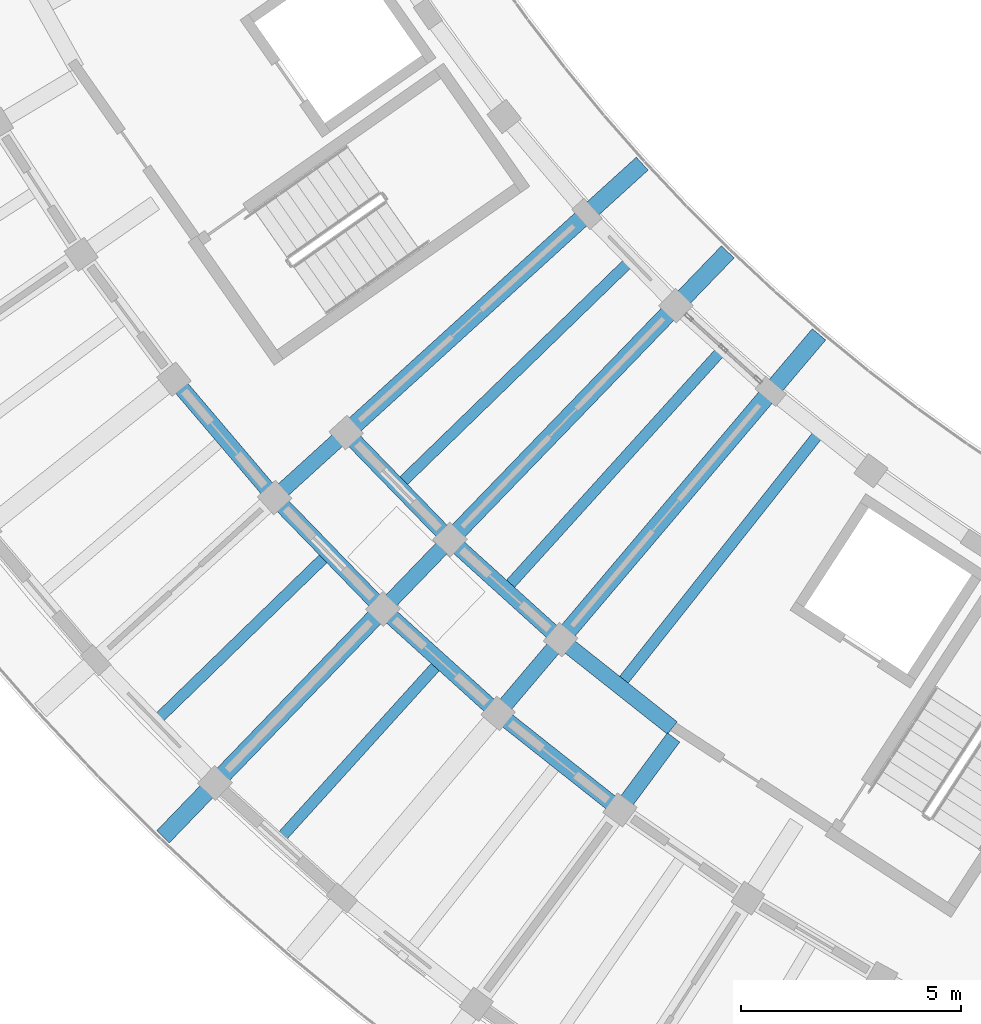
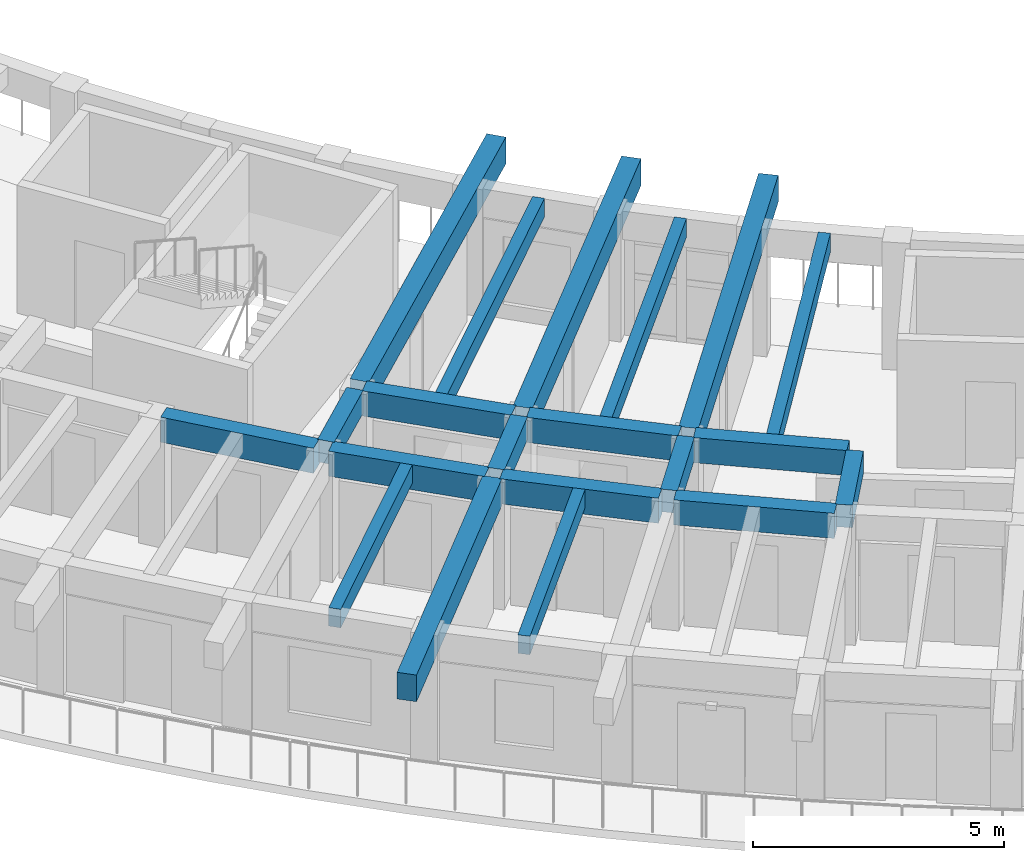
# One storey, part 6 of 96: 20 beams.
"""IFC4 building model written with IfcOpenShell, lengths in metres."""

from ifc_helpers import new_model, si_unit, direction, frame, origin, origin_2d, place, context, subcontext, project, spatial, rectangle, extrude, material, material_profile, profile_set, type_object, element, save


model = new_model("IFC4")

# Units and contexts
model_context = context("Model", 3, precision=1e-05, world=origin(), true_north=direction((0.0, 1.0)))
body_context = subcontext(model_context, "Body", "Model", "MODEL_VIEW")
ifc_project = project(units=[si_unit("LENGTHUNIT", "METRE"), si_unit("AREAUNIT", "SQUARE_METRE"), si_unit("VOLUMEUNIT", "CUBIC_METRE"), si_unit("PLANEANGLEUNIT", "RADIAN"), si_unit("MASSUNIT", "GRAM", prefix="KILO")], contexts=[model_context])

# Site, building, storey
site_placement = place(None, origin())
site = spatial("IfcSite", under=ifc_project, at=site_placement, CompositionType="ELEMENT")
building_placement = place(site_placement, origin())
building = spatial("IfcBuilding", under=site, at=building_placement, Name="Tanwirah Colonnade Gardens", CompositionType="ELEMENT")
storey_placement = place(building_placement, frame((0.0, 0.0, 12.199951171875)))
storey = spatial("IfcBuildingStorey", under=building, at=storey_placement, Name="L03", CompositionType="ELEMENT", Elevation=12.199951171875)

# Beams
ifc_material_1 = material(Name="Precast concrete C40/50", Category="concrete")
ifc_material_profile_1 = material_profile(ifc_material_1, rectangle(XDim=0.360107421875, YDim=0.610107421875, at=origin_2d()), Name="PC-BM 360x610")
ifc_profile_set_1 = profile_set([ifc_material_profile_1], Name="Precast concrete C40/50")
beam_type_1 = type_object("IfcBeamType", Name="BM-PC300", PredefinedType="BEAM", material=ifc_profile_set_1)
beam_1_placement = place(storey_placement, frame((22.797119140625, 30.73876953125, 2.800048828125), z_axis=(0.6478235549, -0.761790418499, 0.0), x_axis=(0.761790418499, 0.6478235549, 0.0)))
element("IfcBeam", 1, at=beam_1_placement, inside=storey, type_object=beam_type_1, Name="Block C L03 Circumferential Beam 6-R2", PredefinedType="BEAM", context=body_context, shape_type="SweptSolid", body=[
    extrude(rectangle(XDim=0.360107421875, YDim=0.610107421875, at=origin_2d()), origin(), (0.0, 0.0, 1.0), 3.23681640625),
])
beam_2_placement = place(storey_placement, frame((26.72412109375, 29.530029296875, 2.800048828125), z_axis=(0.696209937932, -0.71783822852, 0.0), x_axis=(0.71783822852, 0.696209937932, 0.0)))
element("IfcBeam", 2, at=beam_2_placement, inside=storey, type_object=beam_type_1, Name="Block C L03 Circumferential Beam 7-R1", PredefinedType="BEAM", context=body_context, shape_type="SweptSolid", body=[
    extrude(rectangle(XDim=0.360107421875, YDim=0.610107421875, at=origin_2d()), origin(), (0.0, 0.0, 1.0), 3.093017578125),
])
beam_3_placement = place(storey_placement, frame((25.095703125, 28.05078125, 2.800048828125), z_axis=(0.696238887656, -0.717810149911, 0.0), x_axis=(0.717810149911, 0.696238887656, 0.0)))
element("IfcBeam", 3, at=beam_3_placement, inside=storey, type_object=beam_type_1, Name="Block C L03 Circumferential Beam 7-R2", PredefinedType="BEAM", context=body_context, shape_type="SweptSolid", body=[
    extrude(rectangle(XDim=0.360107421875, YDim=0.610107421875, at=origin_2d()), origin(), (0.0, 0.0, 1.0), 3.23681640625),
])
beam_4_placement = place(storey_placement, frame((29.09326171875, 27.1015625, 2.800048828125), z_axis=(0.741698455559, -0.670733479873, 0.0), x_axis=(0.670733479873, 0.741698455559, 0.0)))
element("IfcBeam", 4, at=beam_4_placement, inside=storey, type_object=beam_type_1, Name="Block C L03 Circumferential Beam 8-R1", PredefinedType="BEAM", context=body_context, shape_type="SweptSolid", body=[
    extrude(rectangle(XDim=0.360107421875, YDim=0.610107421875, at=origin_2d()), origin(), (0.0, 0.0, 1.0), 3.0927734375),
])
beam_5_placement = place(storey_placement, frame((27.56494140625, 25.51904296875, 2.800048828125), z_axis=(0.741701929733, -0.670729638104, 0.0), x_axis=(0.670729638104, 0.741701929733, 0.0)))
element("IfcBeam", 5, at=beam_5_placement, inside=storey, type_object=beam_type_1, Name="Block C L03 Circumferential Beam 8-R2", PredefinedType="BEAM", context=body_context, shape_type="SweptSolid", body=[
    extrude(rectangle(XDim=0.360107421875, YDim=0.610107421875, at=origin_2d()), origin(), (0.0, 0.0, 1.0), 3.237060546875),
])
beam_6_placement = place(storey_placement, frame((31.615966796875, 24.833251953125, 2.800048828125), z_axis=(0.783962588163, -0.62080807047, 0.0), x_axis=(0.62080807047, 0.783962588163, 0.0)))
element("IfcBeam", 6, at=beam_6_placement, inside=storey, type_object=beam_type_1, Name="Block C L03 Circumferential Beam 9-R1", PredefinedType="BEAM", context=body_context, shape_type="SweptSolid", body=[
    extrude(rectangle(XDim=0.360107421875, YDim=0.610107421875, at=origin_2d()), origin(), (0.0, 0.0, 1.0), 3.093017578125),
])
beam_7_placement = place(storey_placement, frame((30.194580078125, 23.154052734375, 2.800048828125), z_axis=(0.783993819374, -0.620768629349, 0.0), x_axis=(0.620768629349, 0.783993819374, 0.0)))
element("IfcBeam", 7, at=beam_7_placement, inside=storey, type_object=beam_type_1, Name="Block C L03 Circumferential Beam 9-R2", PredefinedType="BEAM", context=body_context, shape_type="SweptSolid", body=[
    extrude(rectangle(XDim=0.360107421875, YDim=0.610107421875, at=origin_2d()), origin(), (0.0, 0.0, 1.0), 3.23681640625),
])
ifc_material_profile_2 = material_profile(ifc_material_1, rectangle(XDim=0.35009765625, YDim=0.550048828125, at=origin_2d()), Name="PC-BM 350x550")
ifc_profile_set_2 = profile_set([ifc_material_profile_2], Name="Precast concrete C40/50")
beam_type_2 = type_object("IfcBeamType", Name="BM-PC350A", PredefinedType="BEAM", material=ifc_profile_set_2)
beam_8_placement = place(storey_placement, frame((26.508544921875, 29.536865234375, 2.830078125), z_axis=(-0.740219127015, -0.672365707038, 0.0), x_axis=(0.672365707038, -0.740219127015, 0.0)))
element("IfcBeam", 8, at=beam_8_placement, inside=storey, type_object=beam_type_2, Name="Block C L03 Corridor Tie Beam 7", PredefinedType="BEAM", context=body_context, shape_type="SweptSolid", body=[
    extrude(rectangle(XDim=0.35009765625, YDim=0.550048828125, at=origin_2d()), origin(), (0.0, 0.0, 1.0), 1.899658203125),
])
beam_9_placement = place(storey_placement, frame((28.877685546875, 27.09423828125, 2.830078125), z_axis=(-0.694663306685, -0.719335033448, 0.0), x_axis=(0.719335033448, -0.694663306685, 0.0)))
element("IfcBeam", 9, at=beam_9_placement, inside=storey, type_object=beam_type_2, Name="Block C L03 Corridor Tie Beam 8", PredefinedType="BEAM", context=body_context, shape_type="SweptSolid", body=[
    extrude(rectangle(XDim=0.35009765625, YDim=0.550048828125, at=origin_2d()), origin(), (0.0, 0.0, 1.0), 1.89990234375),
])
for number, where, z_axis, x_axis, name in (
    (10, (31.401611328125, 24.81201171875, 2.830078125), (-0.646155325581, -0.763205932382, 0.0), (0.763205932382, -0.646155325581, 0.0), "Block C L03 Corridor Tie Beam 9"),
    (11, (34.0693359375, 22.699462890625, 2.830078125), (-0.594889497099, -0.803807493273, 0.0), (0.803807493273, -0.594889497099, 0.0), "Block C L03 Corridor Tie Beam 10"),
):
    element("IfcBeam", number, at=place(storey_placement, frame(where, z_axis=z_axis, x_axis=x_axis)), inside=storey, type_object=beam_type_2, Name=name, PredefinedType="BEAM", context=body_context, shape_type="SweptSolid", body=[
        extrude(rectangle(XDim=0.35009765625, YDim=0.550048828125, at=origin_2d()), origin(), (0.0, 0.0, 1.0), 1.900146484375),
    ])
ifc_material_2 = material(Name="Precast concrete C45/55", Category="concrete")
ifc_material_profile_3 = material_profile(ifc_material_2, rectangle(XDim=0.39990234375, YDim=0.64990234375, at=origin_2d()), Name="PC-BM 400x650")
ifc_profile_set_3 = profile_set([ifc_material_profile_3], Name="Precast concrete C45/55")
beam_type_3 = type_object("IfcBeamType", Name="BM-PC400", PredefinedType="BEAM", material=ifc_profile_set_3)
for number, where, z_axis, x_axis, name in (
    (12, (26.730712890625, 29.738525390625, 2.780029296875), (0.740212791446, 0.672372681911, 0.0), (-0.672372681911, 0.740212791446, 0.0), "Block C L03 Inner Radial Precast Girder 7"),
    (13, (29.086181640625, 27.31005859375, 2.780029296875), (0.694655848402, 0.719342235852, 0.0), (-0.719342235852, 0.694655848402, 0.0), "Block C L03 Inner Radial Precast Girder 8"),
):
    element("IfcBeam", number, at=place(storey_placement, frame(where, z_axis=z_axis, x_axis=x_axis)), inside=storey, type_object=beam_type_3, Name=name, PredefinedType="BEAM", context=body_context, shape_type="SweptSolid", body=[
        extrude(rectangle(XDim=0.39990234375, YDim=0.64990234375, at=origin_2d()), origin(), (0.0, 0.0, 1.0), 8.9501953125),
    ])
beam_10_placement = place(storey_placement, frame((27.349609375, 25.51171875, 2.780029296875), z_axis=(-0.69467114255, -0.719327466254, 0.0), x_axis=(0.719327466254, -0.69467114255, 0.0)))
element("IfcBeam", 14, at=beam_10_placement, inside=storey, type_object=beam_type_3, Name="Block C L03 Outer Radial Precast Girder 8", PredefinedType="BEAM", context=body_context, shape_type="SweptSolid", body=[
    extrude(rectangle(XDim=0.39990234375, YDim=0.64990234375, at=origin_2d()), origin(), (0.0, 0.0, 1.0), 7.050048828125),
])
beam_11_placement = place(storey_placement, frame((31.595458984375, 25.040771484375, 2.780029296875), z_axis=(0.64611097415, 0.763243479554, 0.0), x_axis=(-0.763243479554, 0.64611097415, 0.0)))
element("IfcBeam", 15, at=beam_11_placement, inside=storey, type_object=beam_type_3, Name="Block C L03 Inner Radial Precast Girder 9", PredefinedType="BEAM", context=body_context, shape_type="SweptSolid", body=[
    extrude(rectangle(XDim=0.39990234375, YDim=0.64990234375, at=origin_2d()), origin(), (0.0, 0.0, 1.0), 8.949951171875),
])
ifc_material_profile_4 = material_profile(ifc_material_1, rectangle(XDim=0.25, YDim=0.449951171875, at=origin_2d()), Name="PC-JST 250x450")
ifc_profile_set_4 = profile_set([ifc_material_profile_4], Name="Precast concrete C40/50")
beam_type_4 = type_object("IfcBeamType", Name="JST-PC250", PredefinedType="JOIST", material=ifc_profile_set_4)
beam_12_placement = place(storey_placement, frame((26.115478515625, 26.785400390625, 2.880126953125), z_axis=(-0.717816036263, -0.696232818878, 0.0), x_axis=(0.696232818878, -0.717816036263, 0.0)))
element("IfcBeam", 16, at=beam_12_placement, inside=storey, type_object=beam_type_4, Name="Block C L03 Precast Floor Joist 7", PredefinedType="JOIST", context=body_context, shape_type="SweptSolid", body=[
    extrude(rectangle(XDim=0.25, YDim=0.449951171875, at=origin_2d()), origin(), (0.0, 0.0, 1.0), 5.260009765625),
])
beam_13_placement = place(storey_placement, frame((33.006591796875, 33.46923828125, 2.880126953125), z_axis=(-0.717816218075, -0.69623263143, 0.0), x_axis=(0.69623263143, -0.717816218075, 0.0)))
element("IfcBeam", 17, at=beam_13_placement, inside=storey, type_object=beam_type_4, Name="Block C L03 Inner Precast Floor Joist 7", PredefinedType="JOIST", context=body_context, shape_type="SweptSolid", body=[
    extrude(rectangle(XDim=0.25, YDim=0.449951171875, at=origin_2d()), origin(), (0.0, 0.0, 1.0), 7.16015625),
])
beam_14_placement = place(storey_placement, frame((28.66552734375, 24.322998046875, 2.880126953125), z_axis=(-0.670780841255, -0.741655622918, 0.0), x_axis=(0.741655622918, -0.670780841255, 0.0)))
element("IfcBeam", 18, at=beam_14_placement, inside=storey, type_object=beam_type_4, Name="Block C L03 Precast Floor Joist 8", PredefinedType="JOIST", context=body_context, shape_type="SweptSolid", body=[
    extrude(rectangle(XDim=0.25, YDim=0.449951171875, at=origin_2d()), origin(), (0.0, 0.0, 1.0), 5.260009765625),
])
for number, where, z_axis, x_axis, name in (
    (19, (35.104736328125, 31.443115234375, 2.880126953125), (-0.670773136608, -0.741662591214, 0.0), (0.741662591214, -0.670773136608, 0.0), "Block C L03 Inner Precast Floor Joist 8"),
    (20, (37.33056640625, 29.55859375, 2.880126953125), (-0.620803379809, -0.783966302603, 0.0), (0.783966302603, -0.620803379809, 0.0), "Block C L03 Inner Precast Floor Joist 9"),
):
    element("IfcBeam", number, at=place(storey_placement, frame(where, z_axis=z_axis, x_axis=x_axis)), inside=storey, type_object=beam_type_4, Name=name, PredefinedType="JOIST", context=body_context, shape_type="SweptSolid", body=[
        extrude(rectangle(XDim=0.25, YDim=0.449951171875, at=origin_2d()), origin(), (0.0, 0.0, 1.0), 7.159912109375),
    ])

save(model, "model.ifc")
